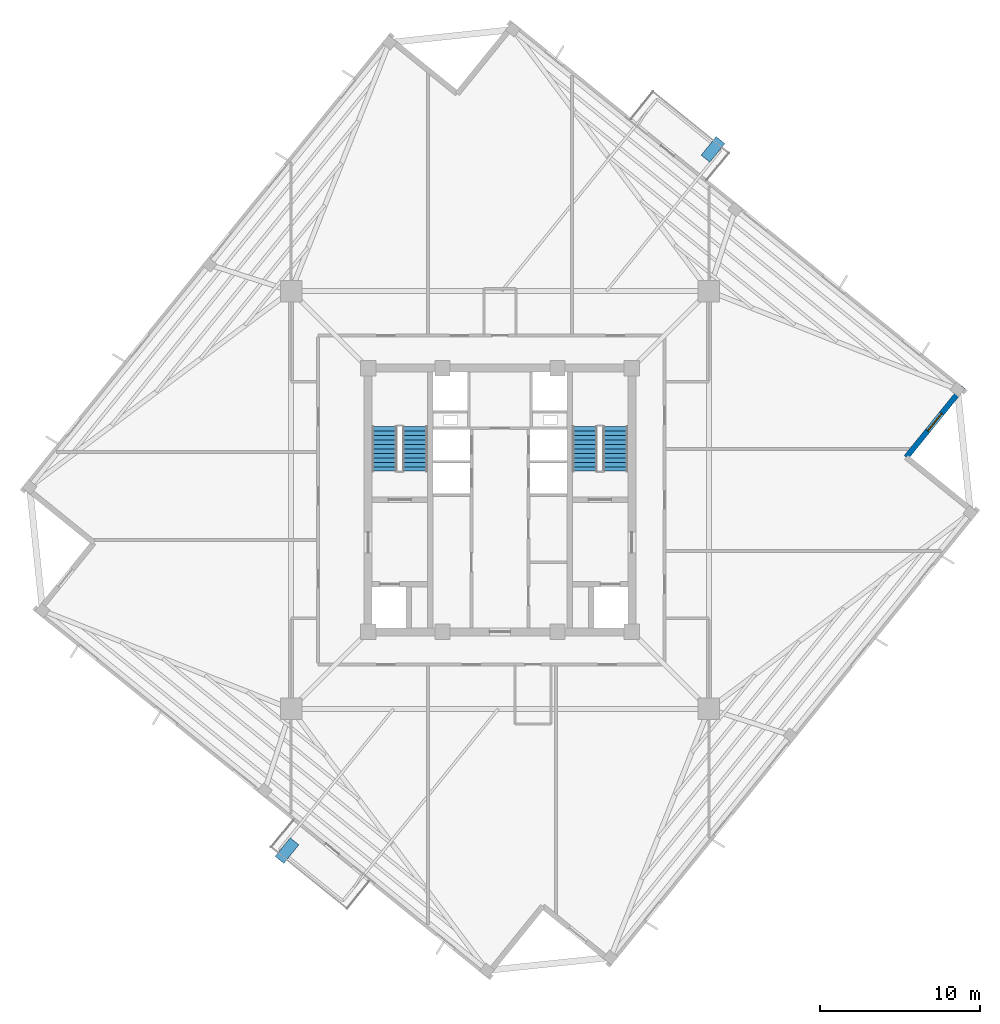
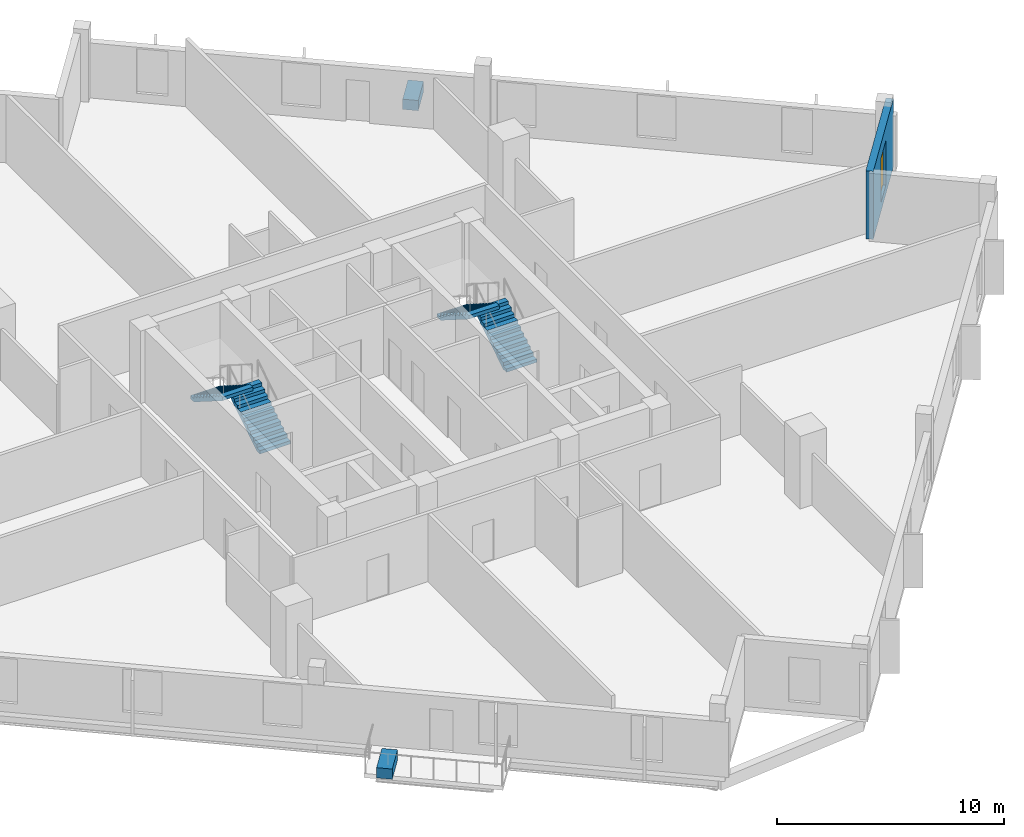
# One storey, part 6 of 10: 4 stair flights, 2 discrete accessories, 1 wall, 1 window, 1 opening, 2 elements without a shape of their own.
"""IFC4 building model written with IfcOpenShell, lengths in metres."""

from ifc_helpers import new_model, si_unit, direction, frame, frame_2d, origin, origin_2d, place, context, subcontext, project, spatial, polyline, rectangle, outline, extrude, source, transform, mapped, material, layer, layer_set, type_object, element, fill, aggregate, save


model = new_model("IFC4")

# Units and contexts
model_context = context("Model", 3, precision=1e-05, world=origin(), true_north=direction((0.0, 1.0)))
body_context = subcontext(model_context, "Body", "Model", "MODEL_VIEW")
ifc_project = project(units=[si_unit("LENGTHUNIT", "METRE"), si_unit("AREAUNIT", "SQUARE_METRE"), si_unit("VOLUMEUNIT", "CUBIC_METRE"), si_unit("PLANEANGLEUNIT", "RADIAN"), si_unit("MASSUNIT", "GRAM", prefix="KILO"), si_unit("THERMODYNAMICTEMPERATUREUNIT", "KELVIN")], contexts=[model_context])

# Site, building, storey
site_placement = place(None, origin())
site = spatial("IfcSite", under=ifc_project, at=site_placement, CompositionType="ELEMENT")
building_placement = place(site_placement, origin())
building = spatial("IfcBuilding", under=site, at=building_placement, Name="Kosmvard Interchange Tower", CompositionType="ELEMENT")
storey_placement = place(building_placement, frame((0.0, 0.0, 240.699951171875)))
storey = spatial("IfcBuildingStorey", under=building, at=storey_placement, Name="L58", CompositionType="ELEMENT", Elevation=240.699951171875)

# Wall, opening, window
ifc_material_1 = material(Name="Precast concrete C45/55", Category="concrete")
ifc_layer = layer(ifc_material_1, 0.340087890625, Name="Precast concrete C45/55")
ifc_layer_set = layer_set([ifc_layer], Name="Precast concrete C45/55")
wall_type = type_object("IfcWallType", Name="Mid Tower Precast Pier Wall 340 C45/55", PredefinedType="STANDARD", material=ifc_layer_set)
wall_placement = place(storey_placement, frame((25.428955078125, 2.672607421875, 0.0), z_axis=(0.0, 0.0, 1.0), x_axis=(0.629299794138, 0.777162640055, 0.0)))
wall = element("IfcWall", 1, at=wall_placement, inside=storey, type_object=wall_type, Name="L58 Precast Facade Wall N-SE2", PredefinedType="STANDARD", context=body_context, shape_type="SweptSolid", body=[
    extrude(rectangle(XDim=5.669921875, YDim=0.340087890625, at=frame_2d((2.8349609375, 0.0))), origin(), (0.0, 0.0, 1.0), 3.66015625),
])
opening_placement = place(wall_placement, frame((2.135009765625, 0.0, 0.47998046875)))
opening = element("IfcOpeningElement", 2, at=opening_placement, cuts=wall, Name="Opening L58-W21", PredefinedType="OPENING", context=body_context, shape_type="SweptSolid", body=[
    extrude(rectangle(XDim=1.39990234375, YDim=2.39990234375, at=frame_2d((0.699951171875, 1.199951171875))), frame((0.0, 0.18017578125, 0.0), z_axis=(0.0, -1.0, 0.0), x_axis=(1.0, 0.0, 0.0)), (0.0, 0.0, 1.0), 0.360107421875),
])
ifc_material_2 = material(Name="Low-E solar-control double glazing", Category="glass")
window_type = type_object("IfcWindowType", Name="Notched Corner Feature Window 1400x2400", PartitioningType="SINGLE_PANEL", PredefinedType="WINDOW", material=ifc_material_2)
shared_shape_1 = source(origin(), body_context, "Body", "SweptSolid", [
    extrude(rectangle(XDim=1.39990234375, YDim=2.39990234375, at=frame_2d((0.699951171875, 1.199951171875))), frame((0.0, 0.030029296875, 0.0), z_axis=(0.0, -1.0, 0.0), x_axis=(1.0, 0.0, 0.0)), (0.0, 0.0, 1.0), 0.06005859375),
])
window_placement = place(opening_placement, origin())
window = element("IfcWindow", 3, at=window_placement, inside=storey, type_object=window_type, Name="L58 Corner Notch Window 21", OverallHeight=2.39990234375, OverallWidth=1.39990234375, PartitioningType="SINGLE_PANEL", PredefinedType="WINDOW", context=body_context, shape_type="MappedRepresentation", body=[
    mapped(shared_shape_1, transform((0.0, 0.0, 0.0), scale=1.0)),
])
fill(opening, window)

# Stair, stair flights
ifc_material_3 = material(Name="Concrete C50/60", Category="concrete")
stair_type = type_object("IfcStairType", Name="Dog-Leg Core Exit Stair H3900 C50/60", PredefinedType="HALF_TURN_STAIR", material=ifc_material_3)
stair_1_placement = place(storey_placement, origin())
stair_1 = element("IfcStair", 4, at=stair_1_placement, inside=storey, type_object=stair_type, Name="L58 Protected Exit Stair ST-1", PredefinedType="HALF_TURN_STAIR")
stair_flight_type = type_object("IfcStairFlightType", Name="Core Stair Flight W1550 H3900 C50/60", PredefinedType="STRAIGHT", material=ifc_material_3)
shared_shape_2 = source(origin(), body_context, "Body", "SweptSolid", [
    extrude(outline(polyline([(0.0, 0.0), (0.0, 0.17724609375), (0.280029296875, 0.17724609375), (0.280029296875, 0.3544921875), (0.56005859375, 0.3544921875), (0.56005859375, 0.53173828125), (0.840087890625, 0.53173828125), (0.840087890625, 0.708984375), (1.1201171875, 0.708984375), (1.1201171875, 0.886474609375), (1.39990234375, 0.886474609375), (1.39990234375, 1.063720703125), (1.679931640625, 1.063720703125), (1.679931640625, 1.240966796875), (1.9599609375, 1.240966796875), (1.9599609375, 1.418212890625), (2.239990234375, 1.418212890625), (2.239990234375, 1.595458984375), (2.52001953125, 1.595458984375), (2.52001953125, 1.772705078125), (2.800048828125, 1.772705078125), (2.800048828125, 1.949951171875), (2.800048828125, 1.58349609375), (0.298828125, 0.0), (0.0, 0.0)])), frame((0.0, 0.77490234375, 0.0), z_axis=(0.0, -1.0, 0.0), x_axis=(1.0, 0.0, 0.0)), (0.0, 0.0, 1.0), 1.550048828125),
])
stair_flight_1_placement = place(storey_placement, frame((-5.31494140625, 1.800048828125, 0.0), z_axis=(0.0, 0.0, 1.0), x_axis=(0.0, 1.0, 0.0)))
stair_flight_1 = element("IfcStairFlight", 5, at=stair_flight_1_placement, type_object=stair_flight_type, Name="ST-1 flight 1", NumberOfRisers=11, NumberOfTreads=10, PredefinedType="STRAIGHT", RiserHeight=0.177272727, TreadLength=0.28, context=body_context, shape_type="MappedRepresentation", body=[
    mapped(shared_shape_2, transform((0.0, 0.0, 0.0), scale=1.0)),
])
stair_flight_2_placement = place(storey_placement, frame((-7.22509765625, 4.60009765625, 1.949951171875), z_axis=(0.0, 0.0, 1.0), x_axis=(0.0, -1.0, 0.0)))
stair_flight_2 = element("IfcStairFlight", 6, at=stair_flight_2_placement, type_object=stair_flight_type, Name="ST-1 flight 2", NumberOfRisers=11, NumberOfTreads=10, PredefinedType="STRAIGHT", RiserHeight=0.177272727, TreadLength=0.28, context=body_context, shape_type="MappedRepresentation", body=[
    mapped(shared_shape_2, transform((0.0, 0.0, 0.0), scale=1.0)),
])
aggregate(stair_1, [stair_flight_1, stair_flight_2])

stair_2_placement = place(storey_placement, origin())
stair_2 = element("IfcStair", 7, at=stair_2_placement, inside=storey, type_object=stair_type, Name="L58 Protected Exit Stair ST-2", PredefinedType="HALF_TURN_STAIR")
stair_flight_3_placement = place(storey_placement, frame((7.22509765625, 1.800048828125, 0.0), z_axis=(0.0, 0.0, 1.0), x_axis=(0.0, 1.0, 0.0)))
stair_flight_3 = element("IfcStairFlight", 8, at=stair_flight_3_placement, type_object=stair_flight_type, Name="ST-2 flight 1", NumberOfRisers=11, NumberOfTreads=10, PredefinedType="STRAIGHT", RiserHeight=0.177272727, TreadLength=0.28, context=body_context, shape_type="MappedRepresentation", body=[
    mapped(shared_shape_2, transform((0.0, 0.0, 0.0), scale=1.0)),
])
stair_flight_4_placement = place(storey_placement, frame((5.31494140625, 4.60009765625, 1.949951171875), z_axis=(0.0, 0.0, 1.0), x_axis=(0.0, -1.0, 0.0)))
stair_flight_4 = element("IfcStairFlight", 9, at=stair_flight_4_placement, type_object=stair_flight_type, Name="ST-2 flight 2", NumberOfRisers=11, NumberOfTreads=10, PredefinedType="STRAIGHT", RiserHeight=0.177272727, TreadLength=0.28, context=body_context, shape_type="MappedRepresentation", body=[
    mapped(shared_shape_2, transform((0.0, 0.0, 0.0), scale=1.0)),
])
aggregate(stair_2, [stair_flight_3, stair_flight_4])

# Discrete accessories
ifc_material_4 = material(Name="Terracotta precast planter concrete C45/55", Category="masonry")
discrete_accessory_type = type_object("IfcDiscreteAccessoryType", Name="Precast Tree-Balcony & Terrace Planter Box", PredefinedType="USERDEFINED", material=ifc_material_4)
shared_shape_3 = source(origin(), body_context, "Body", "SweptSolid", [
    extrude(rectangle(XDim=1.5, YDim=0.699951171875, at=origin_2d()), origin(), (0.0, 0.0, 1.0), 0.550048828125),
])
for number, where, z_axis, x_axis, name in (
    (10, (13.3349609375, 21.949462890625, 0.0), (0.0, 0.0, 1.0), (0.62932039105, 0.777145961457, 0.0), "L58 Balcony Tree Planter BAL-L58-E"),
    (11, (-13.3349609375, -21.949462890625, 0.0), (0.0, 0.0, 1.0), (0.62932039105, 0.777145961457, 0.0), "L58 Balcony Tree Planter BAL-L58-W"),
):
    element("IfcDiscreteAccessory", number, at=place(storey_placement, frame(where, z_axis=z_axis, x_axis=x_axis)), inside=storey, type_object=discrete_accessory_type, Name=name, ObjectType="PLANTER", PredefinedType="USERDEFINED", context=body_context, shape_type="MappedRepresentation", body=[
        mapped(shared_shape_3, transform((0.0, 0.0, 0.0), scale=1.0)),
    ])

save(model, "model.ifc")
